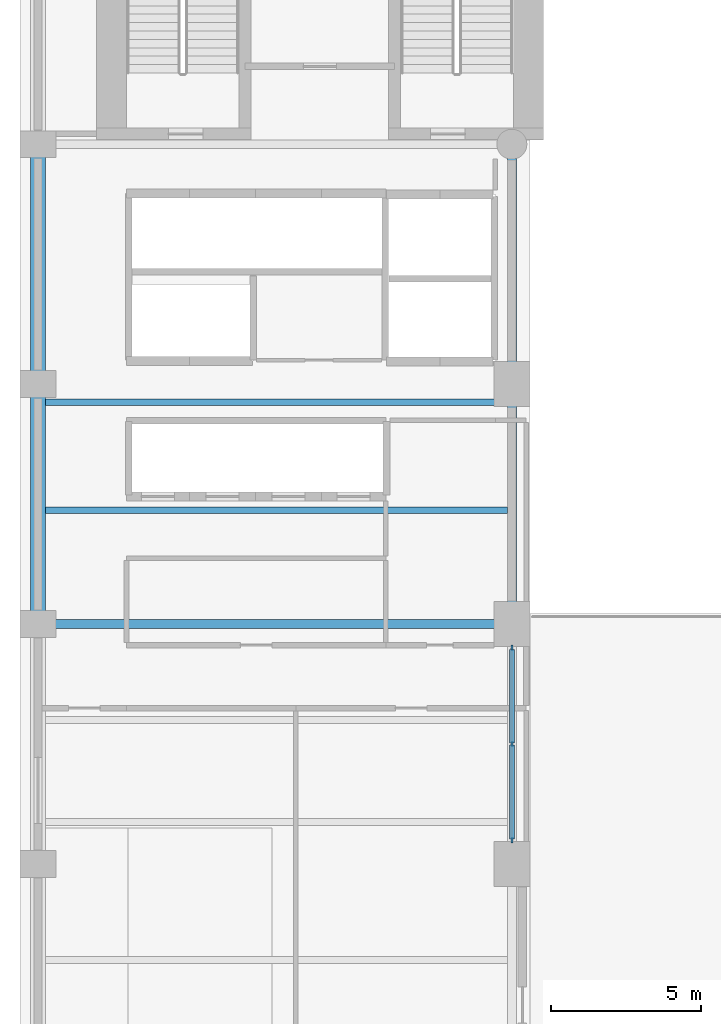
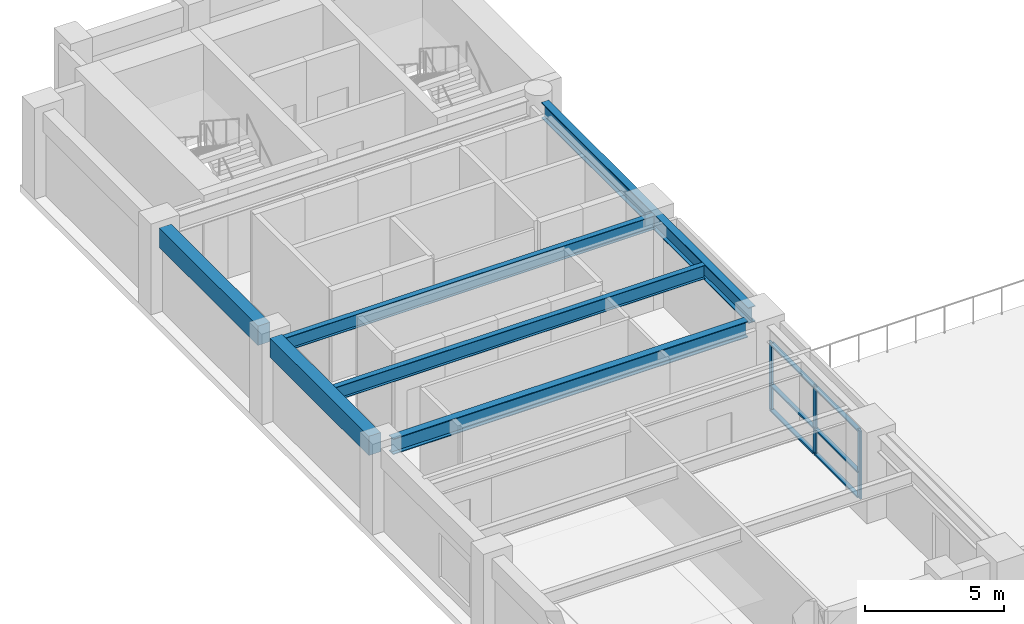
# One storey, part 2 of 10: 9 members, 6 beams, 1 element without a shape of its own.
"""IFC4 building model written with IfcOpenShell, lengths in metres."""

import ifcopenshell
import ifcopenshell.guid

model = None  # the IFC model being written
_history = None  # IfcOwnerHistory: only IFC2X3 demands one
_inside = {}  # id of a spatial element -> (the spatial element, [elements in it])
_under = {}  # id of a project, library or spatial element -> (it, [spatial elements below it])
_declared = {}  # id of a project -> (the project, [libraries it declares])
_typed = {}  # id of a type object -> (the type object, [elements of that type])
_made_of = {}  # id of a material, layer set ... -> (it, [elements and type objects made of it])


def new_model(schema):
    """Start an empty IFC model of exactly this schema.

    Asked for "IFC4X3", IfcOpenShell would pick the latest addendum, in which some entities
    have other attributes; the version numbers below select the first issue.
    IFC2X3 requires an IfcOwnerHistory on every rooted entity: one is made here for all.
    """
    global model, _history
    if schema == "IFC4X3":
        model = ifcopenshell.file(schema_version=(4, 3, 0, 0))
    else:
        model = ifcopenshell.file(schema=schema)
    _inside.clear()
    _under.clear()
    _declared.clear()
    _typed.clear()
    _made_of.clear()
    _history = None
    if model.schema == "IFC2X3":
        org = make("IfcOrganization", Name="unknown")
        user = make(
            "IfcPersonAndOrganization",
            ThePerson=make("IfcPerson", FamilyName="unknown"),
            TheOrganization=org,
        )
        app = make(
            "IfcApplication",
            ApplicationDeveloper=org,
            Version="unknown",
            ApplicationFullName="unknown",
            ApplicationIdentifier="unknown",
        )
        _history = make(
            "IfcOwnerHistory",
            OwningUser=user,
            OwningApplication=app,
            ChangeAction="ADDED",
            CreationDate=0,
        )
    return model


def make(cls, **values):
    """One entity of the class cls with the attributes given. An attribute that is None is left unset."""
    return model.create_entity(
        cls, **{name: value for name, value in values.items() if value is not None}
    )


def rooted(cls, **values):
    """An entity with a GlobalId (a new one), such as an element, a storey or a relation."""
    return make(cls, GlobalId=ifcopenshell.guid.new(), OwnerHistory=_history, **values)


def si_unit(unit_type, name, prefix=None):
    """IfcSIUnit, for example si_unit("LENGTHUNIT", "METRE", prefix="MILLI")."""
    return make("IfcSIUnit", UnitType=unit_type, Prefix=prefix, Name=name)


def assignment(units):
    """IfcUnitAssignment: the units of a project."""
    return None if units is None else make("IfcUnitAssignment", Units=units)


def point(xyz):
    """IfcCartesianPoint."""
    return None if xyz is None else make("IfcCartesianPoint", Coordinates=xyz)


def direction(xyz):
    """IfcDirection."""
    return None if xyz is None else make("IfcDirection", DirectionRatios=xyz)


def frame(location, z_axis=None, x_axis=None):
    """IfcAxis2Placement3D, a coordinate frame: its origin and axes. An axis left out is left unset."""
    return make(
        "IfcAxis2Placement3D",
        Location=point(location),
        Axis=direction(z_axis),
        RefDirection=direction(x_axis),
    )


def frame_2d(location, x_axis=None):
    """IfcAxis2Placement2D, a coordinate frame in the plane: its origin and x axis."""
    return make(
        "IfcAxis2Placement2D", Location=point(location), RefDirection=direction(x_axis)
    )


def origin():
    """The frame at (0, 0, 0) with its axes left unset."""
    return frame((0.0, 0.0, 0.0))


def origin_2d():
    """The frame at (0, 0) in the plane with its x axis left unset."""
    return frame_2d((0.0, 0.0))


def place(relative_to, where):
    """IfcLocalPlacement: puts the frame where relative to a parent placement (None: the world)."""
    return make(
        "IfcLocalPlacement", PlacementRelTo=relative_to, RelativePlacement=where
    )


def context(
    kind, dimensions, precision=None, world=None, true_north=None, identifier=None
):
    """IfcGeometricRepresentationContext, for example the 3D "Model" context."""
    return make(
        "IfcGeometricRepresentationContext",
        ContextIdentifier=identifier,
        ContextType=kind,
        CoordinateSpaceDimension=dimensions,
        Precision=precision,
        WorldCoordinateSystem=world,
        TrueNorth=true_north,
    )


def subcontext(parent, identifier, kind, view, scale=None):
    """IfcGeometricRepresentationSubContext, for example "Body" below "Model"."""
    return make(
        "IfcGeometricRepresentationSubContext",
        ContextIdentifier=identifier,
        ContextType=kind,
        ParentContext=parent,
        TargetScale=scale,
        TargetView=view,
    )


def project(units=None, contexts=None):
    """IfcProject with its units and contexts."""
    return rooted(
        "IfcProject",
        Name="project",
        RepresentationContexts=contexts,
        UnitsInContext=assignment(units),
    )


def spatial(cls, under=None, at=None, **own):
    """A site, building, storey or space (cls), placed at a placement, below another one or the project."""
    s = rooted(cls, ObjectPlacement=at, **own)
    if under is not None:
        _under.setdefault(under.id(), (under, []))[1].append(s)
    return s


def profile(cls, at=None, kind="AREA", **sizes):
    """A parametric profile (cls). Its sizes go by their IFC names, for example OverallWidth=200.0."""
    return make(cls, ProfileType=kind, Position=at, **sizes)


def rectangle(**sizes):
    """IfcRectangleProfileDef."""
    return profile("IfcRectangleProfileDef", **sizes)


def i_section(**sizes):
    """IfcIShapeProfileDef."""
    return profile("IfcIShapeProfileDef", **sizes)


def extrude(swept, where, along, depth):
    """IfcExtrudedAreaSolid: the profile swept, set in the frame where, extruded along a direction by depth."""
    return make(
        "IfcExtrudedAreaSolid",
        SweptArea=swept,
        Position=where,
        ExtrudedDirection=direction(along),
        Depth=depth,
    )


def shape(context_of_items, identifier, shape_type, items):
    """IfcShapeRepresentation: the items that make up one representation, for example the "Body"."""
    return make(
        "IfcShapeRepresentation",
        ContextOfItems=context_of_items,
        RepresentationIdentifier=identifier,
        RepresentationType=shape_type,
        Items=items,
    )


def material(Name=None, Category=None):
    """IfcMaterial."""
    return make("IfcMaterial", Name=Name, Category=Category)


def layer(
    of_material, thickness, ventilated=None, Name=None, Category=None, Priority=None
):
    """IfcMaterialLayer: one layer of a wall or slab, of a material (None: an air gap)."""
    return make(
        "IfcMaterialLayer",
        Material=of_material,
        LayerThickness=thickness,
        IsVentilated=ventilated,
        Name=Name,
        Category=Category,
        Priority=Priority,
    )


def layer_set(layers, Name=None):
    """IfcMaterialLayerSet."""
    return make("IfcMaterialLayerSet", MaterialLayers=layers, LayerSetName=Name)


def material_profile(
    of_material, cross_section, Name=None, Category=None, Priority=None
):
    """IfcMaterialProfile: a cross section and its material."""
    return make(
        "IfcMaterialProfile",
        Name=Name,
        Material=of_material,
        Profile=cross_section,
        Priority=Priority,
        Category=Category,
    )


def profile_set(profiles, Name=None, composite=None):
    """IfcMaterialProfileSet."""
    return make(
        "IfcMaterialProfileSet",
        Name=Name,
        MaterialProfiles=profiles,
        CompositeProfile=composite,
    )


def made_of(thing, what):
    """Note that an element or type object is made of a material, layer set ...; save() writes the relation."""
    if what is not None:
        _made_of.setdefault(what.id(), (what, []))[1].append(thing)
    return thing


def type_object(cls, material=None, **own):
    """A type object (cls), such as IfcWallType, which elements share."""
    return made_of(rooted(cls, **own), material)


def element(
    cls,
    number,
    at=None,
    inside=None,
    cuts=None,
    type_object=None,
    material=None,
    context=None,
    identifier="Body",
    shape_type=None,
    held_by="IfcProductDefinitionShape",
    body=None,
    shapes=None,
    **own,
):
    """One element of the class cls, such as IfcWall. Its Tag is "e" and its number.

    at: its placement. inside: the storey or other place that contains it. cuts: it is an
    opening in that element (IfcRelVoidsElement). A single representation is given by context,
    identifier, shape_type and body (its items); several are given by shapes. held_by: the class
    of the entity that holds the representations. save() writes the other relations.
    """
    e = rooted(cls, Tag="e%d" % number, ObjectPlacement=at, **own)
    if body is not None:
        shapes = [shape(context, identifier, shape_type, body)]
    if shapes is not None:
        e.Representation = make(held_by, Representations=shapes)
    if inside is not None:
        _inside.setdefault(inside.id(), (inside, []))[1].append(e)
    if cuts is not None:
        rooted(
            "IfcRelVoidsElement", RelatingBuildingElement=cuts, RelatedOpeningElement=e
        )
    if type_object is not None:
        _typed.setdefault(type_object.id(), (type_object, []))[1].append(e)
    return made_of(e, material)


def aggregate(whole, parts):
    """IfcRelAggregates: a whole, such as a stair, and the parts it consists of."""
    return rooted("IfcRelAggregates", RelatingObject=whole, RelatedObjects=parts)


def save(model, path):
    """Write the relations noted so far, then the file.

    IfcRelAggregates (storeys below a building ...), IfcRelContainedInSpatialStructure (elements
    in a storey), IfcRelDefinesByType, IfcRelAssociatesMaterial and IfcRelDeclares: one each for
    every whole, place, type object, material and project.
    """
    for whole, parts in _under.values():
        aggregate(whole, parts)
    for where, things in _inside.values():
        rooted(
            "IfcRelContainedInSpatialStructure",
            RelatedElements=things,
            RelatingStructure=where,
        )
    for kind, things in _typed.values():
        rooted("IfcRelDefinesByType", RelatedObjects=things, RelatingType=kind)
    for what, things in _made_of.values():
        rooted("IfcRelAssociatesMaterial", RelatedObjects=things, RelatingMaterial=what)
    for by, libraries in _declared.values():
        rooted("IfcRelDeclares", RelatingContext=by, RelatedDefinitions=libraries)
    model.write(path)


model = new_model("IFC4")

# Units and contexts
model_context = context("Model", 3, precision=1e-05, world=origin(), true_north=direction((0.0, 1.0)))
body_context = subcontext(model_context, "Body", "Model", "MODEL_VIEW")
ifc_project = project(units=[si_unit("LENGTHUNIT", "METRE"), si_unit("AREAUNIT", "SQUARE_METRE"), si_unit("VOLUMEUNIT", "CUBIC_METRE"), si_unit("PLANEANGLEUNIT", "RADIAN"), si_unit("MASSUNIT", "GRAM", prefix="KILO")], contexts=[model_context])

# Site, building, storey
site_placement = place(None, origin())
site = spatial("IfcSite", under=ifc_project, at=site_placement, CompositionType="ELEMENT")
building_placement = place(site_placement, origin())
building = spatial("IfcBuilding", under=site, at=building_placement, Name="Sulina Concourse Tower", CompositionType="ELEMENT")
storey_placement = place(building_placement, frame((0.0, 0.0, 22.60009765625)))
storey = spatial("IfcBuildingStorey", under=building, at=storey_placement, Name="L05", CompositionType="ELEMENT", Elevation=22.60009765625)

# Beams
ifc_material_1 = material(Name="Steel S355", Category="steel")
ifc_material_profile_1 = material_profile(ifc_material_1, i_section(OverallWidth=0.219970703125, OverallDepth=0.60009765625, WebThickness=0.011962890625, FlangeThickness=0.01904296875, at=origin_2d()), Name="IPE 600")
ifc_profile_set_1 = profile_set([ifc_material_profile_1], Name="Steel S355")
beam_type_1 = type_object("IfcBeamType", Name="Composite Floor Joist IPE600", PredefinedType="JOIST", material=ifc_profile_set_1)
for number, where, z_axis, x_axis, name in (
    (1, (0.85009765625, 21.800048828125, 3.39990234375), (1.0, 0.0, 0.0), (0.0, 1.0, 0.0), "FJ-J22-1-L05"),
    (2, (0.85009765625, 25.39990234375, 3.39990234375), (1.0, 0.0, 0.0), (0.0, 1.0, 0.0), "FJ-J25-1-L05"),
):
    element("IfcBeam", number, at=place(storey_placement, frame(where, z_axis=z_axis, x_axis=x_axis)), inside=storey, type_object=beam_type_1, Name=name, PredefinedType="JOIST", context=body_context, shape_type="SweptSolid", body=[
        extrude(i_section(OverallWidth=0.219970703125, OverallDepth=0.60009765625, WebThickness=0.011962890625, FlangeThickness=0.01904296875, at=origin_2d()), origin(), (0.0, 0.0, 1.0), 15.39990234375),
    ])
ifc_material_2 = material(Name="Steel S355", Category="steel")
ifc_material_profile_2 = material_profile(ifc_material_2, i_section(OverallWidth=0.300048828125, OverallDepth=0.699951171875, WebThickness=0.01708984375, FlangeThickness=0.031982421875, at=origin_2d()), Name="HE 700 B")
ifc_profile_set_2 = profile_set([ifc_material_profile_2], Name="Steel S355")
beam_type_2 = type_object("IfcBeamType", Name="Floor Primary Girder Zone 1 HE700B", PredefinedType="BEAM", material=ifc_profile_set_2)
beam_1_placement = place(storey_placement, frame((1.030029296875, 18.0, 3.349853515625), z_axis=(1.0, 0.0, 0.0), x_axis=(0.0, 1.0, 0.0)))
element("IfcBeam", 3, at=beam_1_placement, inside=storey, type_object=beam_type_2, Name="FG-EW1-L05", PredefinedType="BEAM", context=body_context, shape_type="SweptSolid", body=[
    extrude(i_section(OverallWidth=0.300048828125, OverallDepth=0.699951171875, WebThickness=0.01708984375, FlangeThickness=0.031982421875, at=origin_2d()), origin(), (0.0, 0.0, 1.0), 14.7900390625),
])
beam_2_placement = place(storey_placement, frame((16.39990234375, 18.580078125, 3.349853515625), z_axis=(0.0, 1.0, 0.0), x_axis=(-1.0, 0.0, 0.0)))
element("IfcBeam", 4, at=beam_2_placement, inside=storey, type_object=beam_type_2, Name="FG-NSB-16-L05", PredefinedType="BEAM", context=body_context, shape_type="SweptSolid", body=[
    extrude(i_section(OverallWidth=0.300048828125, OverallDepth=0.699951171875, WebThickness=0.01708984375, FlangeThickness=0.031982421875, at=origin_2d()), origin(), (0.0, 0.0, 1.0), 14.93994140625),
])
ifc_material_3 = material(Name="Precast concrete C50/60", Category="concrete")
ifc_material_profile_3 = material_profile(ifc_material_3, rectangle(XDim=0.5, YDim=0.85009765625, at=origin_2d()), Name="RC 500x850")
ifc_profile_set_3 = profile_set([ifc_material_profile_3], Name="Precast concrete C50/60")
beam_type_3 = type_object("IfcBeamType", Name="Lower Precast Spandrel Edge Beam 500x850", PredefinedType="BEAM", material=ifc_profile_set_3)
for number, where, z_axis, x_axis, name in (
    (5, (0.60009765625, 18.429931640625, 3.27490234375), (0.0, 1.0, 0.0), (-1.0, 0.0, 0.0), "SP-W3-L05"),
    (6, (0.60009765625, 26.429931640625, 3.27490234375), (0.0, 1.0, 0.0), (-1.0, 0.0, 0.0), "SP-W4-L05"),
):
    element("IfcBeam", number, at=place(storey_placement, frame(where, z_axis=z_axis, x_axis=x_axis)), inside=storey, type_object=beam_type_3, Name=name, PredefinedType="BEAM", context=body_context, shape_type="SweptSolid", body=[
        extrude(rectangle(XDim=0.5, YDim=0.85009765625, at=origin_2d()), origin(), (0.0, 0.0, 1.0), 7.14013671875),
    ])

# Curtain wall, members
ifc_material_4 = material(Name="Anodised bronze aluminium", Category="aluminium")
ifc_layer = layer(ifc_material_4, 0.219970703125)
ifc_layer_set = layer_set([ifc_layer], Name="Anodised bronze aluminium")
curtain_wall_type = type_object("IfcCurtainWallType", Name="Lower Terraced Portal Curtain Wall System", PredefinedType="NOTDEFINED", material=ifc_layer_set)
curtain_wall_placement = place(storey_placement, origin())
curtain_wall = element("IfcCurtainWall", 7, at=curtain_wall_placement, inside=storey, type_object=curtain_wall_type, Name="L05 glazed curtain wall PW2", PredefinedType="NOTDEFINED")
ifc_material_5 = material(Name="Anodised bronze aluminium", Category="aluminium")
ifc_material_profile_4 = material_profile(ifc_material_5, rectangle(XDim=0.070068359375, YDim=0.199951171875, at=origin_2d()), Name="MUL 70x200")
ifc_profile_set_4 = profile_set([ifc_material_profile_4], Name="Anodised bronze aluminium")
member_type_1 = type_object("IfcMemberType", Name="Lower Terraced Portal Curtain Wall System Mullion 70x200", PredefinedType="MULLION", material=ifc_profile_set_4)
member_1_placement = place(storey_placement, frame((16.39990234375, 17.195068359375, 0.0), z_axis=(0.0, 0.0, 1.0), x_axis=(1.0, 0.0, 0.0)))
member_1 = element("IfcMember", 8, at=member_1_placement, type_object=member_type_1, Name="CW-02 mullion 1", PredefinedType="MULLION", context=body_context, shape_type="SweptSolid", body=[
    extrude(rectangle(XDim=0.070068359375, YDim=0.199951171875, at=origin_2d()), origin(), (0.0, 0.0, 1.0), 3.0),
])
member_2_placement = place(storey_placement, frame((16.39990234375, 14.0, 0.0), z_axis=(0.0, 0.0, 1.0), x_axis=(1.0, 0.0, 0.0)))
member_2 = element("IfcMember", 9, at=member_2_placement, type_object=member_type_1, Name="CW-02 mullion 2", PredefinedType="MULLION", context=body_context, shape_type="SweptSolid", body=[
    extrude(rectangle(XDim=0.070068359375, YDim=0.199951171875, at=origin_2d()), origin(), (0.0, 0.0, 1.0), 3.0),
])
member_3_placement = place(storey_placement, frame((16.39990234375, 10.804931640625, 0.0), z_axis=(0.0, 0.0, 1.0), x_axis=(1.0, 0.0, 0.0)))
member_3 = element("IfcMember", 10, at=member_3_placement, type_object=member_type_1, Name="CW-02 mullion 3", PredefinedType="MULLION", context=body_context, shape_type="SweptSolid", body=[
    extrude(rectangle(XDim=0.070068359375, YDim=0.199951171875, at=origin_2d()), origin(), (0.0, 0.0, 1.0), 3.0),
])
ifc_material_6 = material(Name="Anodised bronze aluminium", Category="aluminium")
ifc_material_profile_5 = material_profile(ifc_material_6, rectangle(XDim=0.1650390625, YDim=0.070068359375, at=origin_2d()), Name="TRN 70x165")
ifc_profile_set_5 = profile_set([ifc_material_profile_5], Name="Anodised bronze aluminium")
member_type_2 = type_object("IfcMemberType", Name="Lower Terraced Portal Curtain Wall System Transom 70x165", PredefinedType="USERDEFINED", material=ifc_profile_set_5)
member_4_placement = place(storey_placement, frame((16.39990234375, 17.159912109375, 0.034912109375), z_axis=(0.0, -1.0, 0.0), x_axis=(1.0, 0.0, 0.0)))
member_4 = element("IfcMember", 11, at=member_4_placement, type_object=member_type_2, Name="CW-02 transom 1.1", ObjectType="TRANSOM", PredefinedType="USERDEFINED", context=body_context, shape_type="SweptSolid", body=[
    extrude(rectangle(XDim=0.1650390625, YDim=0.070068359375, at=origin_2d()), origin(), (0.0, 0.0, 1.0), 3.125),
])
member_5_placement = place(storey_placement, frame((16.39990234375, 17.159912109375, 1.139892578125), z_axis=(0.0, -1.0, 0.0), x_axis=(1.0, 0.0, 0.0)))
member_5 = element("IfcMember", 12, at=member_5_placement, type_object=member_type_2, Name="CW-02 transom 1.2", ObjectType="TRANSOM", PredefinedType="USERDEFINED", context=body_context, shape_type="SweptSolid", body=[
    extrude(rectangle(XDim=0.1650390625, YDim=0.070068359375, at=origin_2d()), origin(), (0.0, 0.0, 1.0), 3.125),
])
member_6_placement = place(storey_placement, frame((16.39990234375, 17.159912109375, 2.96484375), z_axis=(0.0, -1.0, 0.0), x_axis=(1.0, 0.0, 0.0)))
member_6 = element("IfcMember", 13, at=member_6_placement, type_object=member_type_2, Name="CW-02 transom 1.3", ObjectType="TRANSOM", PredefinedType="USERDEFINED", context=body_context, shape_type="SweptSolid", body=[
    extrude(rectangle(XDim=0.1650390625, YDim=0.070068359375, at=origin_2d()), origin(), (0.0, 0.0, 1.0), 3.125),
])
member_7_placement = place(storey_placement, frame((16.39990234375, 13.965087890625, 0.034912109375), z_axis=(0.0, -1.0, 0.0), x_axis=(1.0, 0.0, 0.0)))
member_7 = element("IfcMember", 14, at=member_7_placement, type_object=member_type_2, Name="CW-02 transom 2.1", ObjectType="TRANSOM", PredefinedType="USERDEFINED", context=body_context, shape_type="SweptSolid", body=[
    extrude(rectangle(XDim=0.1650390625, YDim=0.070068359375, at=origin_2d()), origin(), (0.0, 0.0, 1.0), 3.125),
])
member_8_placement = place(storey_placement, frame((16.39990234375, 13.965087890625, 1.139892578125), z_axis=(0.0, -1.0, 0.0), x_axis=(1.0, 0.0, 0.0)))
member_8 = element("IfcMember", 15, at=member_8_placement, type_object=member_type_2, Name="CW-02 transom 2.2", ObjectType="TRANSOM", PredefinedType="USERDEFINED", context=body_context, shape_type="SweptSolid", body=[
    extrude(rectangle(XDim=0.1650390625, YDim=0.070068359375, at=origin_2d()), origin(), (0.0, 0.0, 1.0), 3.125),
])
member_9_placement = place(storey_placement, frame((16.39990234375, 13.965087890625, 2.96484375), z_axis=(0.0, -1.0, 0.0), x_axis=(1.0, 0.0, 0.0)))
member_9 = element("IfcMember", 16, at=member_9_placement, type_object=member_type_2, Name="CW-02 transom 2.3", ObjectType="TRANSOM", PredefinedType="USERDEFINED", context=body_context, shape_type="SweptSolid", body=[
    extrude(rectangle(XDim=0.1650390625, YDim=0.070068359375, at=origin_2d()), origin(), (0.0, 0.0, 1.0), 3.125),
])
aggregate(curtain_wall, [member_1, member_2, member_3, member_4, member_5, member_6, member_7, member_8, member_9])

save(model, "model.ifc")
